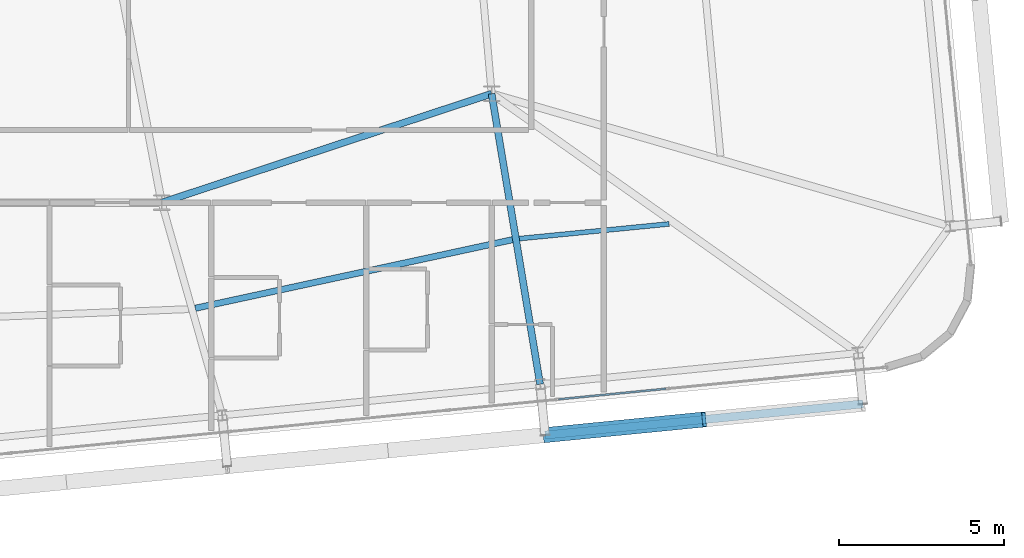
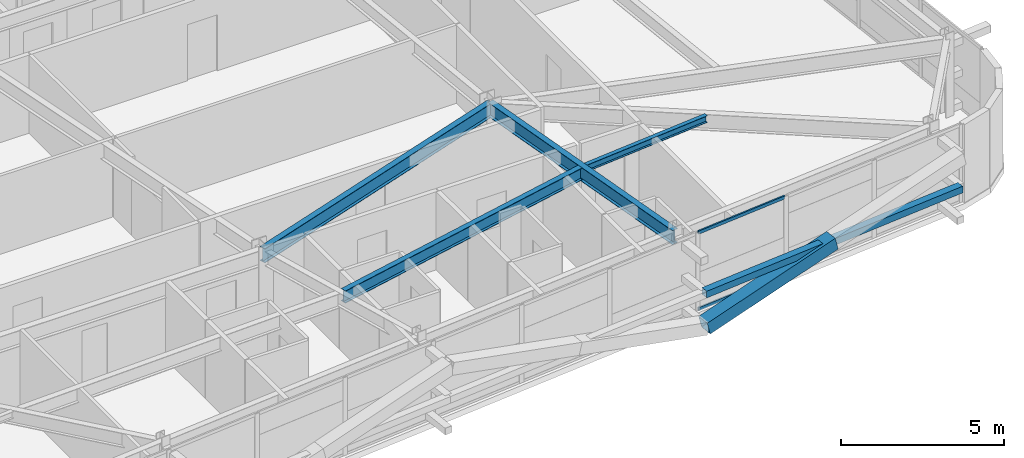
# One storey, part 19 of 54: 4 beams, 4 members, 1 element without a shape of its own.
"""IFC4 building model written with IfcOpenShell, lengths in metres."""

import ifcopenshell
import ifcopenshell.guid

model = None  # the IFC model being written
_history = None  # IfcOwnerHistory: only IFC2X3 demands one
_inside = {}  # id of a spatial element -> (the spatial element, [elements in it])
_under = {}  # id of a project, library or spatial element -> (it, [spatial elements below it])
_declared = {}  # id of a project -> (the project, [libraries it declares])
_typed = {}  # id of a type object -> (the type object, [elements of that type])
_made_of = {}  # id of a material, layer set ... -> (it, [elements and type objects made of it])


def new_model(schema):
    """Start an empty IFC model of exactly this schema.

    Asked for "IFC4X3", IfcOpenShell would pick the latest addendum, in which some entities
    have other attributes; the version numbers below select the first issue.
    IFC2X3 requires an IfcOwnerHistory on every rooted entity: one is made here for all.
    """
    global model, _history
    if schema == "IFC4X3":
        model = ifcopenshell.file(schema_version=(4, 3, 0, 0))
    else:
        model = ifcopenshell.file(schema=schema)
    _inside.clear()
    _under.clear()
    _declared.clear()
    _typed.clear()
    _made_of.clear()
    _history = None
    if model.schema == "IFC2X3":
        org = make("IfcOrganization", Name="unknown")
        user = make(
            "IfcPersonAndOrganization",
            ThePerson=make("IfcPerson", FamilyName="unknown"),
            TheOrganization=org,
        )
        app = make(
            "IfcApplication",
            ApplicationDeveloper=org,
            Version="unknown",
            ApplicationFullName="unknown",
            ApplicationIdentifier="unknown",
        )
        _history = make(
            "IfcOwnerHistory",
            OwningUser=user,
            OwningApplication=app,
            ChangeAction="ADDED",
            CreationDate=0,
        )
    return model


def make(cls, **values):
    """One entity of the class cls with the attributes given. An attribute that is None is left unset."""
    return model.create_entity(
        cls, **{name: value for name, value in values.items() if value is not None}
    )


def rooted(cls, **values):
    """An entity with a GlobalId (a new one), such as an element, a storey or a relation."""
    return make(cls, GlobalId=ifcopenshell.guid.new(), OwnerHistory=_history, **values)


def si_unit(unit_type, name, prefix=None):
    """IfcSIUnit, for example si_unit("LENGTHUNIT", "METRE", prefix="MILLI")."""
    return make("IfcSIUnit", UnitType=unit_type, Prefix=prefix, Name=name)


def assignment(units):
    """IfcUnitAssignment: the units of a project."""
    return None if units is None else make("IfcUnitAssignment", Units=units)


def point(xyz):
    """IfcCartesianPoint."""
    return None if xyz is None else make("IfcCartesianPoint", Coordinates=xyz)


def direction(xyz):
    """IfcDirection."""
    return None if xyz is None else make("IfcDirection", DirectionRatios=xyz)


def frame(location, z_axis=None, x_axis=None):
    """IfcAxis2Placement3D, a coordinate frame: its origin and axes. An axis left out is left unset."""
    return make(
        "IfcAxis2Placement3D",
        Location=point(location),
        Axis=direction(z_axis),
        RefDirection=direction(x_axis),
    )


def frame_2d(location, x_axis=None):
    """IfcAxis2Placement2D, a coordinate frame in the plane: its origin and x axis."""
    return make(
        "IfcAxis2Placement2D", Location=point(location), RefDirection=direction(x_axis)
    )


def origin():
    """The frame at (0, 0, 0) with its axes left unset."""
    return frame((0.0, 0.0, 0.0))


def origin_2d():
    """The frame at (0, 0) in the plane with its x axis left unset."""
    return frame_2d((0.0, 0.0))


def place(relative_to, where):
    """IfcLocalPlacement: puts the frame where relative to a parent placement (None: the world)."""
    return make(
        "IfcLocalPlacement", PlacementRelTo=relative_to, RelativePlacement=where
    )


def context(
    kind, dimensions, precision=None, world=None, true_north=None, identifier=None
):
    """IfcGeometricRepresentationContext, for example the 3D "Model" context."""
    return make(
        "IfcGeometricRepresentationContext",
        ContextIdentifier=identifier,
        ContextType=kind,
        CoordinateSpaceDimension=dimensions,
        Precision=precision,
        WorldCoordinateSystem=world,
        TrueNorth=true_north,
    )


def subcontext(parent, identifier, kind, view, scale=None):
    """IfcGeometricRepresentationSubContext, for example "Body" below "Model"."""
    return make(
        "IfcGeometricRepresentationSubContext",
        ContextIdentifier=identifier,
        ContextType=kind,
        ParentContext=parent,
        TargetScale=scale,
        TargetView=view,
    )


def project(units=None, contexts=None):
    """IfcProject with its units and contexts."""
    return rooted(
        "IfcProject",
        Name="project",
        RepresentationContexts=contexts,
        UnitsInContext=assignment(units),
    )


def spatial(cls, under=None, at=None, **own):
    """A site, building, storey or space (cls), placed at a placement, below another one or the project."""
    s = rooted(cls, ObjectPlacement=at, **own)
    if under is not None:
        _under.setdefault(under.id(), (under, []))[1].append(s)
    return s


def profile(cls, at=None, kind="AREA", **sizes):
    """A parametric profile (cls). Its sizes go by their IFC names, for example OverallWidth=200.0."""
    return make(cls, ProfileType=kind, Position=at, **sizes)


def hollow_rectangle(**sizes):
    """IfcRectangleHollowProfileDef."""
    return profile("IfcRectangleHollowProfileDef", **sizes)


def i_section(**sizes):
    """IfcIShapeProfileDef."""
    return profile("IfcIShapeProfileDef", **sizes)


def extrude(swept, where, along, depth):
    """IfcExtrudedAreaSolid: the profile swept, set in the frame where, extruded along a direction by depth."""
    return make(
        "IfcExtrudedAreaSolid",
        SweptArea=swept,
        Position=where,
        ExtrudedDirection=direction(along),
        Depth=depth,
    )


def shape(context_of_items, identifier, shape_type, items):
    """IfcShapeRepresentation: the items that make up one representation, for example the "Body"."""
    return make(
        "IfcShapeRepresentation",
        ContextOfItems=context_of_items,
        RepresentationIdentifier=identifier,
        RepresentationType=shape_type,
        Items=items,
    )


def source(mapping_origin, context_of_items, identifier, shape_type, items):
    """IfcRepresentationMap: a shape defined once, which mapped items show again and again."""
    return make(
        "IfcRepresentationMap",
        MappingOrigin=mapping_origin,
        MappedRepresentation=shape(context_of_items, identifier, shape_type, items),
    )


def transform(
    local_origin,
    x_axis=None,
    y_axis=None,
    z_axis=None,
    scale=None,
    scale2=None,
    scale3=None,
    uniform=True,
):
    """IfcCartesianTransformationOperator3D, or its non-uniform kind. x_axis, y_axis, z_axis: its Axis1, 2, 3."""
    if uniform:
        return make(
            "IfcCartesianTransformationOperator3D",
            Axis1=direction(x_axis),
            Axis2=direction(y_axis),
            LocalOrigin=point(local_origin),
            Scale=scale,
            Axis3=direction(z_axis),
        )
    return make(
        "IfcCartesianTransformationOperator3DnonUniform",
        Axis1=direction(x_axis),
        Axis2=direction(y_axis),
        LocalOrigin=point(local_origin),
        Scale=scale,
        Axis3=direction(z_axis),
        Scale2=scale2,
        Scale3=scale3,
    )


def mapped(mapping_source, mapping_target):
    """IfcMappedItem: shows the shape of a source again, moved by a transform."""
    return make(
        "IfcMappedItem", MappingSource=mapping_source, MappingTarget=mapping_target
    )


def material(Name=None, Category=None):
    """IfcMaterial."""
    return make("IfcMaterial", Name=Name, Category=Category)


def layer(
    of_material, thickness, ventilated=None, Name=None, Category=None, Priority=None
):
    """IfcMaterialLayer: one layer of a wall or slab, of a material (None: an air gap)."""
    return make(
        "IfcMaterialLayer",
        Material=of_material,
        LayerThickness=thickness,
        IsVentilated=ventilated,
        Name=Name,
        Category=Category,
        Priority=Priority,
    )


def layer_set(layers, Name=None):
    """IfcMaterialLayerSet."""
    return make("IfcMaterialLayerSet", MaterialLayers=layers, LayerSetName=Name)


def material_profile(
    of_material, cross_section, Name=None, Category=None, Priority=None
):
    """IfcMaterialProfile: a cross section and its material."""
    return make(
        "IfcMaterialProfile",
        Name=Name,
        Material=of_material,
        Profile=cross_section,
        Priority=Priority,
        Category=Category,
    )


def profile_set(profiles, Name=None, composite=None):
    """IfcMaterialProfileSet."""
    return make(
        "IfcMaterialProfileSet",
        Name=Name,
        MaterialProfiles=profiles,
        CompositeProfile=composite,
    )


def made_of(thing, what):
    """Note that an element or type object is made of a material, layer set ...; save() writes the relation."""
    if what is not None:
        _made_of.setdefault(what.id(), (what, []))[1].append(thing)
    return thing


def type_object(cls, material=None, **own):
    """A type object (cls), such as IfcWallType, which elements share."""
    return made_of(rooted(cls, **own), material)


def element(
    cls,
    number,
    at=None,
    inside=None,
    cuts=None,
    type_object=None,
    material=None,
    context=None,
    identifier="Body",
    shape_type=None,
    held_by="IfcProductDefinitionShape",
    body=None,
    shapes=None,
    **own,
):
    """One element of the class cls, such as IfcWall. Its Tag is "e" and its number.

    at: its placement. inside: the storey or other place that contains it. cuts: it is an
    opening in that element (IfcRelVoidsElement). A single representation is given by context,
    identifier, shape_type and body (its items); several are given by shapes. held_by: the class
    of the entity that holds the representations. save() writes the other relations.
    """
    e = rooted(cls, Tag="e%d" % number, ObjectPlacement=at, **own)
    if body is not None:
        shapes = [shape(context, identifier, shape_type, body)]
    if shapes is not None:
        e.Representation = make(held_by, Representations=shapes)
    if inside is not None:
        _inside.setdefault(inside.id(), (inside, []))[1].append(e)
    if cuts is not None:
        rooted(
            "IfcRelVoidsElement", RelatingBuildingElement=cuts, RelatedOpeningElement=e
        )
    if type_object is not None:
        _typed.setdefault(type_object.id(), (type_object, []))[1].append(e)
    return made_of(e, material)


def aggregate(whole, parts):
    """IfcRelAggregates: a whole, such as a stair, and the parts it consists of."""
    return rooted("IfcRelAggregates", RelatingObject=whole, RelatedObjects=parts)


def save(model, path):
    """Write the relations noted so far, then the file.

    IfcRelAggregates (storeys below a building ...), IfcRelContainedInSpatialStructure (elements
    in a storey), IfcRelDefinesByType, IfcRelAssociatesMaterial and IfcRelDeclares: one each for
    every whole, place, type object, material and project.
    """
    for whole, parts in _under.values():
        aggregate(whole, parts)
    for where, things in _inside.values():
        rooted(
            "IfcRelContainedInSpatialStructure",
            RelatedElements=things,
            RelatingStructure=where,
        )
    for kind, things in _typed.values():
        rooted("IfcRelDefinesByType", RelatedObjects=things, RelatingType=kind)
    for what, things in _made_of.values():
        rooted("IfcRelAssociatesMaterial", RelatedObjects=things, RelatingMaterial=what)
    for by, libraries in _declared.values():
        rooted("IfcRelDeclares", RelatingContext=by, RelatedDefinitions=libraries)
    model.write(path)


model = new_model("IFC4")

# Units and contexts
model_context = context("Model", 3, precision=1e-05, world=origin(), true_north=direction((0.0, 1.0)))
body_context = subcontext(model_context, "Body", "Model", "MODEL_VIEW")
ifc_project = project(units=[si_unit("LENGTHUNIT", "METRE"), si_unit("AREAUNIT", "SQUARE_METRE"), si_unit("VOLUMEUNIT", "CUBIC_METRE"), si_unit("PLANEANGLEUNIT", "RADIAN"), si_unit("MASSUNIT", "GRAM", prefix="KILO")], contexts=[model_context])

# Site, building, storey
site_placement = place(None, origin())
site = spatial("IfcSite", under=ifc_project, at=site_placement, CompositionType="ELEMENT")
building_placement = place(site_placement, origin())
building = spatial("IfcBuilding", under=site, at=building_placement, Name="Taldren Reach Tower", CompositionType="ELEMENT")
storey_placement = place(building_placement, frame((0.0, 0.0, 99.75)))
storey = spatial("IfcBuildingStorey", under=building, at=storey_placement, Name="L30", CompositionType="ELEMENT", Elevation=99.75)

# Beams
ifc_material_1 = material(Name="Steel Gr 350 (350PLUS)", Category="steel")
ifc_material_profile_1 = material_profile(ifc_material_1, i_section(OverallWidth=0.208984375, OverallDepth=0.532958984375, WebThickness=0.01025390625, FlangeThickness=0.015625, at=origin_2d()), Name="530UB92.4")
ifc_profile_set_1 = profile_set([ifc_material_profile_1], Name="Steel Gr 350 (350PLUS)")
beam_type_1 = type_object("IfcBeamType", Name="BM-UB530A", PredefinedType="BEAM", material=ifc_profile_set_1)
shared_shape_1 = source(origin(), body_context, "Body", "SweptSolid", [
    extrude(i_section(OverallWidth=0.208984375, OverallDepth=0.532958984375, WebThickness=0.01025390625, FlangeThickness=0.015625, at=origin_2d()), origin(), (0.0, 0.0, 1.0), 10.530517578125),
])
beam_1_placement = place(storey_placement, frame((42.0, 9.199951171875, 2.66357421875), z_axis=(0.949627269203, 0.313381635689, 0.0), x_axis=(-0.313381635689, 0.949627269203, 0.0)))
element("IfcBeam", 1, at=beam_1_placement, inside=storey, type_object=beam_type_1, Name="Core-spine girder L30-SP12", PredefinedType="BEAM", context=body_context, shape_type="MappedRepresentation", body=[
    mapped(shared_shape_1, transform((0.0, 0.0, 0.0), scale=1.0)),
])
shared_shape_2 = source(origin(), body_context, "Body", "SweptSolid", [
    extrude(i_section(OverallWidth=0.208984375, OverallDepth=0.532958984375, WebThickness=0.01025390625, FlangeThickness=0.015625, at=origin_2d()), origin(), (0.0, 0.0, 1.0), 8.92333984375),
])
beam_2_placement = place(storey_placement, frame((52.0, 12.5, 2.66357421875), z_axis=(0.164678494096, -0.986347298664, 0.0), x_axis=(0.986347298664, 0.164678494096, 0.0)))
element("IfcBeam", 2, at=beam_2_placement, inside=storey, type_object=beam_type_1, Name="Primary floor girder B2-S5 L30", PredefinedType="BEAM", context=body_context, shape_type="MappedRepresentation", body=[
    mapped(shared_shape_2, transform((0.0, 0.0, 0.0), scale=1.0)),
])
ifc_material_profile_2 = material_profile(ifc_material_1, i_section(OverallWidth=0.19091796875, OverallDepth=0.4599609375, WebThickness=0.010009765625, FlangeThickness=0.01611328125, at=origin_2d()), Name="460UB82.1")
ifc_profile_set_2 = profile_set([ifc_material_profile_2], Name="Steel Gr 350 (350PLUS)")
beam_type_2 = type_object("IfcBeamType", Name="BM-UB460A", PredefinedType="BEAM", material=ifc_profile_set_2)
shared_shape_3 = source(origin(), body_context, "Body", "SweptSolid", [
    extrude(i_section(OverallWidth=0.19091796875, OverallDepth=0.4599609375, WebThickness=0.010009765625, FlangeThickness=0.01611328125, at=origin_2d()), origin(), (0.0, 0.0, 1.0), 9.83447265625),
])
beam_3_placement = place(storey_placement, frame((43.02001953125, 5.9990234375, 2.699951171875), z_axis=(0.977418600156, 0.211312280924, 0.0), x_axis=(-0.211312280924, 0.977418600156, 0.0)))
element("IfcBeam", 3, at=beam_3_placement, inside=storey, type_object=beam_type_2, Name="Secondary floor beam B2 J4 L30", PredefinedType="BEAM", context=body_context, shape_type="MappedRepresentation", body=[
    mapped(shared_shape_3, transform((0.0, 0.0, 0.0), scale=1.0)),
])
ifc_material_2 = material(Name="Steel Gr 300 (300PLUS, 300 MPa)", Category="steel")
ifc_material_profile_3 = material_profile(ifc_material_2, i_section(OverallWidth=0.14599609375, OverallDepth=0.256103515625, WebThickness=0.00634765625, FlangeThickness=0.010986328125, at=origin_2d()), Name="250UB37.3")
ifc_profile_set_3 = profile_set([ifc_material_profile_3], Name="Steel Gr 300 (300PLUS, 300 MPa)")
beam_type_3 = type_object("IfcBeamType", Name="JS-UB250", PredefinedType="JOIST", material=ifc_profile_set_3)
shared_shape_4 = source(origin(), body_context, "Body", "SweptSolid", [
    extrude(i_section(OverallWidth=0.14599609375, OverallDepth=0.256103515625, WebThickness=0.00634765625, FlangeThickness=0.010986328125, at=origin_2d()), origin(), (0.0, 0.0, 1.0), 4.56103515625),
])
beam_4_placement = place(storey_placement, frame((52.8388671875, 8.109375, 2.802001953125), z_axis=(0.995227709746, 0.097579740487, 0.0), x_axis=(-0.097579740487, 0.995227709746, 0.0)))
element("IfcBeam", 4, at=beam_4_placement, inside=storey, type_object=beam_type_3, Name="Secondary floor joist B2 J5 L30", PredefinedType="JOIST", context=body_context, shape_type="MappedRepresentation", body=[
    mapped(shared_shape_4, transform((0.0, 0.0, 0.0), scale=1.0)),
])

# Members
ifc_material_3 = material(Name="Steel Gr 450 (C450L0)", Category="steel")
ifc_material_profile_4 = material_profile(ifc_material_3, hollow_rectangle(XDim=0.4599609375, YDim=0.4599609375, WallThickness=0.01611328125, at=origin_2d()), Name="460x460x16.0SHS")
ifc_profile_set_4 = profile_set([ifc_material_profile_4], Name="Steel Gr 450 (C450L0)")
member_type_1 = type_object("IfcMemberType", Name="MB-EXO457", PredefinedType="BRACE", material=ifc_profile_set_4)
shared_shape_5 = source(origin(), body_context, "Body", "SweptSolid", [
    extrude(hollow_rectangle(XDim=0.4599609375, YDim=0.4599609375, WallThickness=0.01611328125, at=origin_2d()), origin(), (0.0, 0.0, 1.0), 4.990234375),
])
member_1_placement = place(storey_placement, frame((53.62060546875, 2.156005859375, 0.219970703125), z_axis=(0.965275526283, 0.094619506732, 0.243496010862), x_axis=(-0.097555749586, 0.995230061706, 0.0)))
element("IfcMember", 5, at=member_1_placement, inside=storey, type_object=member_type_1, Name="Exoskeleton Diagrid Brace B2-S5 L30", PredefinedType="BRACE", context=body_context, shape_type="MappedRepresentation", body=[
    mapped(shared_shape_5, transform((0.0, 0.0, 0.0), scale=1.0)),
])
ifc_material_4 = material(Name="Steel Gr 350 (C350L0)", Category="steel")
ifc_material_profile_5 = material_profile(ifc_material_4, hollow_rectangle(XDim=0.25, YDim=0.25, WallThickness=0.010009765625, at=origin_2d()), Name="250x250x10.0SHS")
ifc_profile_set_5 = profile_set([ifc_material_profile_5], Name="Steel Gr 350 (C350L0)")
member_type_2 = type_object("IfcMemberType", Name="MB-POST250", PredefinedType="POST", material=ifc_profile_set_5)
shared_shape_6 = source(origin(), body_context, "Body", "SweptSolid", [
    extrude(hollow_rectangle(XDim=0.25, YDim=0.25, WallThickness=0.010009765625, at=origin_2d()), origin(), (0.0, 0.0, 1.0), 9.679931640625),
])
member_2_placement = place(storey_placement, frame((53.62060546875, 2.156005859375, 1.43505859375), z_axis=(0.995227612658, 0.097580730699, 0.0), x_axis=(-0.097580730699, 0.995227612658, 0.0)))
element("IfcMember", 6, at=member_2_placement, inside=storey, type_object=member_type_2, Name="Exoskeleton mid-height ring chord B2-S5 L30", PredefinedType="POST", context=body_context, shape_type="MappedRepresentation", body=[
    mapped(shared_shape_6, transform((0.0, 0.0, 0.0), scale=1.0)),
])

# Curtain wall, members
ifc_material_5 = material(Name="Aluminium and Low-E Glass Unitised System", Category="aluminium")
ifc_layer = layer(ifc_material_5, 0.159912109375)
ifc_layer_set = layer_set([ifc_layer], Name="Aluminium and Low-E Glass Unitised System")
curtain_wall_type = type_object("IfcCurtainWallType", Name="CW-SYS-3", PredefinedType="NOTDEFINED", material=ifc_layer_set)
curtain_wall_placement = place(storey_placement, origin())
curtain_wall = element("IfcCurtainWall", 7, at=curtain_wall_placement, inside=storey, type_object=curtain_wall_type, Name="Unitised curtain wall CW-L30-S", PredefinedType="NOTDEFINED")
ifc_material_6 = material(Name="Anodised Aluminium 6063-T6", Category="aluminium")
ifc_material_profile_6 = material_profile(ifc_material_6, hollow_rectangle(XDim=0.054931640625, YDim=0.1201171875, WallThickness=0.0029296875, at=origin_2d()), Name="ALU-120x55x3RHS")
ifc_profile_set_6 = profile_set([ifc_material_profile_6], Name="Anodised Aluminium 6063-T6")
member_type_3 = type_object("IfcMemberType", Name="CW-TRN-135", PredefinedType="USERDEFINED", material=ifc_profile_set_6)
shared_shape_7 = source(origin(), body_context, "Body", "SweptSolid", [
    extrude(hollow_rectangle(XDim=0.054931640625, YDim=0.1201171875, WallThickness=0.0029296875, at=origin_2d()), origin(), (0.0, 0.0, 1.0), 3.268310546875),
])
member_3_placement = place(storey_placement, frame((54.029296875, 3.240966796875, 0.027587890625), z_axis=(0.99522980512, 0.097558367146, 0.0), x_axis=(-0.097558367146, 0.99522980512, 0.0)))
member_3 = element("IfcMember", 8, at=member_3_placement, type_object=member_type_3, Name="CW-3 transom 13.1", ObjectType="TRANSOM", PredefinedType="USERDEFINED", context=body_context, shape_type="MappedRepresentation", body=[
    mapped(shared_shape_7, transform((0.0, 0.0, 0.0), scale=1.0)),
])
member_4_placement = place(storey_placement, frame((54.029296875, 3.240966796875, 2.902587890625), z_axis=(0.99522980512, 0.097558367146, 0.0), x_axis=(-0.097558367146, 0.99522980512, 0.0)))
member_4 = element("IfcMember", 9, at=member_4_placement, type_object=member_type_3, Name="CW-3 transom 13.2", ObjectType="TRANSOM", PredefinedType="USERDEFINED", context=body_context, shape_type="MappedRepresentation", body=[
    mapped(shared_shape_7, transform((0.0, 0.0, 0.0), scale=1.0)),
])
aggregate(curtain_wall, [member_3, member_4])

save(model, "model.ifc")
